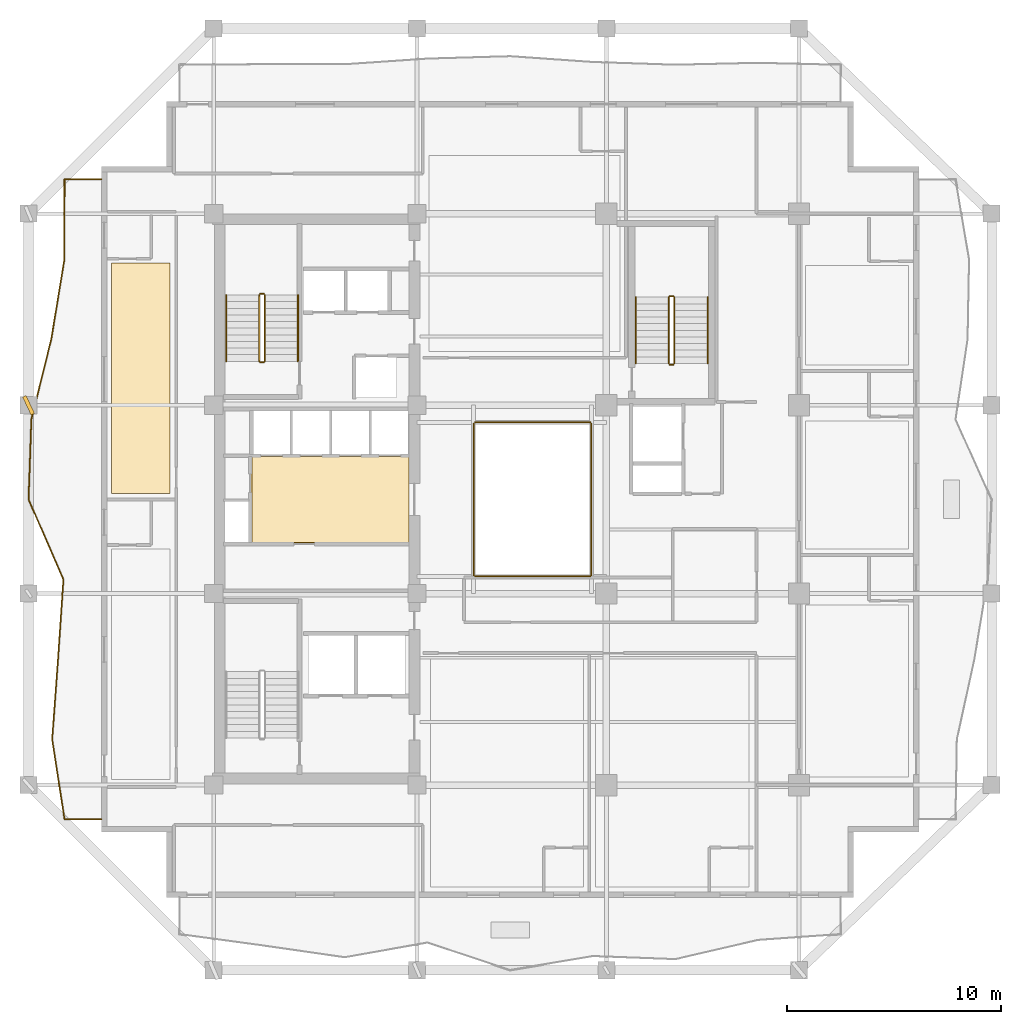
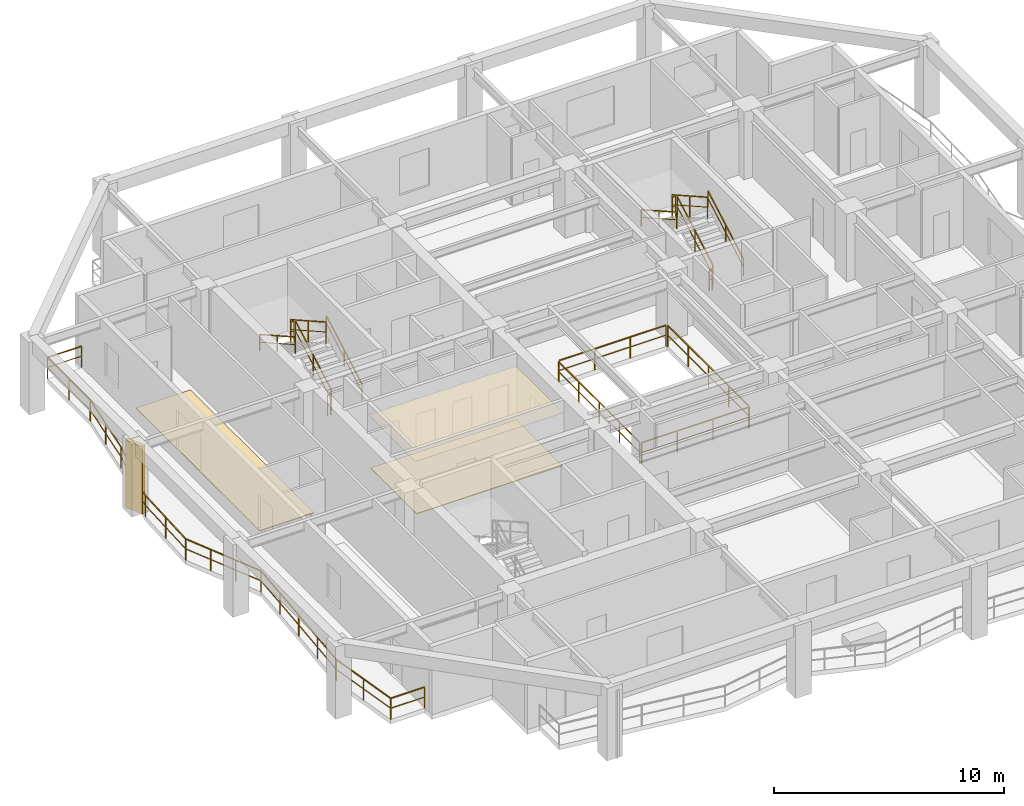
# One storey, part 8 of 10: 17 railings, 3 coverings, 1 shading device.
"""IFC4 building model written with IfcOpenShell, lengths in metres."""

from ifc_helpers import new_model, si_unit, direction, frame, origin, origin_2d, place, context, subcontext, project, spatial, polyline, rectangle, outline, extrude, material, layer, layer_set, type_object, element, save


model = new_model("IFC4")

# Units and contexts
model_context = context("Model", 3, precision=1e-05, world=origin(), true_north=direction((0.0, 1.0)))
body_context = subcontext(model_context, "Body", "Model", "MODEL_VIEW")
ifc_project = project(units=[si_unit("LENGTHUNIT", "METRE"), si_unit("AREAUNIT", "SQUARE_METRE"), si_unit("VOLUMEUNIT", "CUBIC_METRE"), si_unit("PLANEANGLEUNIT", "RADIAN"), si_unit("MASSUNIT", "GRAM", prefix="KILO")], contexts=[model_context])

# Site, building, storey
site_placement = place(None, origin())
site = spatial("IfcSite", under=ifc_project, at=site_placement, CompositionType="ELEMENT")
building_placement = place(site_placement, origin())
building = spatial("IfcBuilding", under=site, at=building_placement, Name="Kundavana Baori Tower", CompositionType="ELEMENT")
storey_placement = place(building_placement, frame((0.0, 0.0, 115.550048828125)))
storey = spatial("IfcBuildingStorey", under=building, at=storey_placement, Name="L27", CompositionType="ELEMENT", Elevation=115.550048828125)

# Coverings
ifc_material_1 = material(Name="Honed Kota Stone and Terrazzo Flooring", Category="masonry")
ifc_layer_1 = layer(ifc_material_1, 0.0400390625, Name="COV-FLR-TERR-40")
ifc_layer_set_1 = layer_set([ifc_layer_1], Name="Honed Kota Stone and Terrazzo Flooring")
covering_type_1 = type_object("IfcCoveringType", Name="COV-FLR-TERR-40", PredefinedType="FLOORING", material=ifc_layer_set_1)
covering_1_placement = place(storey_placement, origin())
element("IfcCovering", 1, at=covering_1_placement, inside=storey, type_object=covering_type_1, Name="L27 Room Finished Stone Flooring 2", PredefinedType="FLOORING", context=body_context, shape_type="SweptSolid", body=[
    extrude(outline(polyline([(10.679931640625, 28.8798828125), (13.419921875, 28.8798828125), (13.419921875, 39.64990234375), (10.679931640625, 39.64990234375), (10.679931640625, 28.8798828125)])), origin(), (0.0, 0.0, 1.0), 0.0400390625),
])
covering_2_placement = place(storey_placement, origin())
element("IfcCovering", 2, at=covering_2_placement, inside=storey, type_object=covering_type_1, Name="L27 Core Lift Lobby Kota Stone Flooring", PredefinedType="FLOORING", context=body_context, shape_type="SweptSolid", body=[
    extrude(outline(polyline([(17.25, 26.580078125), (24.580078125, 26.580078125), (24.580078125, 30.60009765625), (17.25, 30.60009765625), (17.25, 26.580078125)])), origin(), (0.0, 0.0, 1.0), 0.0400390625),
])
ifc_material_2 = material(Name="Perforated Acoustic Mineral Fibre Ceiling Board")
ifc_layer_2 = layer(ifc_material_2, 0.02490234375, Name="COV-INT-CEIL")
ifc_layer_set_2 = layer_set([ifc_layer_2], Name="Perforated Acoustic Mineral Fibre Ceiling Board")
covering_type_2 = type_object("IfcCoveringType", Name="COV-INT-CEIL", PredefinedType="CEILING", material=ifc_layer_set_2)
covering_3_placement = place(storey_placement, frame((0.0, 0.0, 2.849853515625)))
element("IfcCovering", 3, at=covering_3_placement, inside=storey, type_object=covering_type_2, Name="L27 Core Lift Lobby Acoustic Ceiling", PredefinedType="CEILING", context=body_context, shape_type="SweptSolid", body=[
    extrude(outline(polyline([(17.159912109375, 26.52001953125), (24.580078125, 26.52001953125), (24.580078125, 30.639892578125), (17.159912109375, 30.639892578125), (17.159912109375, 26.52001953125)])), origin(), (0.0, 0.0, 1.0), 0.025146484375),
])

# Railings
ifc_material_3 = material(Name="Architectural Patinated Bronze Metalwork")
railing_type_1 = type_object("IfcRailingType", Name="RL-BAL-1150", PredefinedType="BALUSTRADE", material=ifc_material_3)
railing_1_placement = place(storey_placement, frame((10.199951171875, 13.64990234375, 0.0)))
element("IfcRailing", 4, at=railing_1_placement, inside=storey, type_object=railing_type_1, Name="L27 Loggia Balcony Balustrade W", PredefinedType="BALUSTRADE", context=body_context, shape_type="SweptSolid", body=[
    extrude(rectangle(XDim=0.048095703125, YDim=0.048095703125, at=origin_2d()), frame((0.0, 0.0, 1.1259765625), z_axis=(-1.0, 0.0, 0.0), x_axis=(0.0, -1.0, 0.0)), (0.0, 0.0, 1.0), 1.719970703125),
    extrude(rectangle(XDim=0.03125, YDim=0.03125, at=origin_2d()), frame((0.0, 0.0, 0.597900390625), z_axis=(-1.0, 0.0, 0.0), x_axis=(0.0, -1.0, 0.0)), (0.0, 0.0, 1.0), 1.719970703125),
    extrude(rectangle(XDim=0.048095703125, YDim=0.048095703125, at=origin_2d()), frame((-1.719970703125, 0.0, 1.1259765625), z_axis=(-0.152818824267, 0.988254221822, 0.0), x_axis=(-0.988254221822, -0.152818824267, 0.0)), (0.0, 0.0, 1.0), 3.781494140625),
    extrude(rectangle(XDim=0.03125, YDim=0.03125, at=origin_2d()), frame((-1.719970703125, 0.0, 0.597900390625), z_axis=(-0.152818824267, 0.988254221822, 0.0), x_axis=(-0.988254221822, -0.152818824267, 0.0)), (0.0, 0.0, 1.0), 3.781494140625),
    extrude(rectangle(XDim=0.048095703125, YDim=0.048095703125, at=origin_2d()), frame((-2.2978515625, 3.737060546875, 1.1259765625), z_axis=(0.072825509213, 0.997344697288, 0.0), x_axis=(-0.997344697288, 0.072825509213, 0.0)), (0.0, 0.0, 1.0), 3.748046875),
    extrude(rectangle(XDim=0.03125, YDim=0.03125, at=origin_2d()), frame((-2.2978515625, 3.737060546875, 0.597900390625), z_axis=(0.072825509213, 0.997344697288, 0.0), x_axis=(-0.997344697288, 0.072825509213, 0.0)), (0.0, 0.0, 1.0), 3.748046875),
    extrude(rectangle(XDim=0.048095703125, YDim=0.048095703125, at=origin_2d()), frame((-2.02490234375, 7.47509765625, 1.1259765625), z_axis=(0.067526966587, 0.997717449373, 0.0), x_axis=(-0.997717449373, 0.067526966587, 0.0)), (0.0, 0.0, 1.0), 3.74560546875),
    extrude(rectangle(XDim=0.03125, YDim=0.03125, at=origin_2d()), frame((-2.02490234375, 7.47509765625, 0.597900390625), z_axis=(0.067526966587, 0.997717449373, 0.0), x_axis=(-0.997717449373, 0.067526966587, 0.0)), (0.0, 0.0, 1.0), 3.74560546875),
    extrude(rectangle(XDim=0.048095703125, YDim=0.048095703125, at=origin_2d()), frame((-1.77197265625, 11.212158203125, 1.1259765625), z_axis=(-0.399282192339, 0.91682808142, 0.0), x_axis=(-0.91682808142, -0.399282192339, 0.0)), (0.0, 0.0, 1.0), 4.0771484375),
    extrude(rectangle(XDim=0.03125, YDim=0.03125, at=origin_2d()), frame((-1.77197265625, 11.212158203125, 0.597900390625), z_axis=(-0.399282192339, 0.91682808142, 0.0), x_axis=(-0.91682808142, -0.399282192339, 0.0)), (0.0, 0.0, 1.0), 4.0771484375),
    extrude(rectangle(XDim=0.048095703125, YDim=0.048095703125, at=origin_2d()), frame((-3.39990234375, 14.9501953125, 1.1259765625), z_axis=(0.034997494214, 0.99938740006, 0.0), x_axis=(-0.99938740006, 0.034997494214, 0.0)), (0.0, 0.0, 1.0), 3.739013671875),
    extrude(rectangle(XDim=0.03125, YDim=0.03125, at=origin_2d()), frame((-3.39990234375, 14.9501953125, 0.597900390625), z_axis=(0.034997494214, 0.99938740006, 0.0), x_axis=(-0.99938740006, 0.034997494214, 0.0)), (0.0, 0.0, 1.0), 3.739013671875),
    extrude(rectangle(XDim=0.048095703125, YDim=0.048095703125, at=origin_2d()), frame((-3.26904296875, 18.68701171875, 1.1259765625), z_axis=(0.240700543752, 0.970599427281, 0.0), x_axis=(-0.970599427281, 0.240700543752, 0.0)), (0.0, 0.0, 1.0), 3.851318359375),
    extrude(rectangle(XDim=0.03125, YDim=0.03125, at=origin_2d()), frame((-3.26904296875, 18.68701171875, 0.597900390625), z_axis=(0.240700543752, 0.970599427281, 0.0), x_axis=(-0.970599427281, 0.240700543752, 0.0)), (0.0, 0.0, 1.0), 3.851318359375),
    extrude(rectangle(XDim=0.048095703125, YDim=0.048095703125, at=origin_2d()), frame((-2.342041015625, 22.425048828125, 1.1259765625), z_axis=(0.16269492956, 0.98667642107, 0.0), x_axis=(-0.98667642107, 0.16269492956, 0.0)), (0.0, 0.0, 1.0), 3.78759765625),
    extrude(rectangle(XDim=0.03125, YDim=0.03125, at=origin_2d()), frame((-2.342041015625, 22.425048828125, 0.597900390625), z_axis=(0.16269492956, 0.98667642107, 0.0), x_axis=(-0.98667642107, 0.16269492956, 0.0)), (0.0, 0.0, 1.0), 3.78759765625),
    extrude(rectangle(XDim=0.048095703125, YDim=0.048095703125, at=origin_2d()), frame((-1.725830078125, 26.162109375, 1.1259765625), z_axis=(0.001567498564, 0.999998771473, 0.0), x_axis=(-0.999998771473, 0.001567498564, 0.0)), (0.0, 0.0, 1.0), 3.738037109375),
    extrude(rectangle(XDim=0.03125, YDim=0.03125, at=origin_2d()), frame((-1.725830078125, 26.162109375, 0.597900390625), z_axis=(0.001567498564, 0.999998771473, 0.0), x_axis=(-0.999998771473, 0.001567498564, 0.0)), (0.0, 0.0, 1.0), 3.738037109375),
    extrude(rectangle(XDim=0.048095703125, YDim=0.048095703125, at=origin_2d()), frame((-1.719970703125, 29.900146484375, 1.1259765625), z_axis=(1.0, 0.0, 0.0), x_axis=(0.0, 1.0, 0.0)), (0.0, 0.0, 1.0), 1.719970703125),
    extrude(rectangle(XDim=0.03125, YDim=0.03125, at=origin_2d()), frame((-1.719970703125, 29.900146484375, 0.597900390625), z_axis=(1.0, 0.0, 0.0), x_axis=(0.0, 1.0, 0.0)), (0.0, 0.0, 1.0), 1.719970703125),
    extrude(rectangle(XDim=0.0419921875, YDim=0.0419921875, at=origin_2d()), origin(), (0.0, 0.0, 1.0), 1.101806640625),
    extrude(rectangle(XDim=0.0419921875, YDim=0.0419921875, at=origin_2d()), frame((-1.719970703125, 0.0, 0.0)), (0.0, 0.0, 1.0), 1.101806640625),
    extrude(rectangle(XDim=0.0419921875, YDim=0.0419921875, at=origin_2d()), frame((-2.0087890625, 1.86865234375, 0.0)), (0.0, 0.0, 1.0), 1.101806640625),
    extrude(rectangle(XDim=0.0419921875, YDim=0.0419921875, at=origin_2d()), frame((-2.2978515625, 3.737060546875, 0.0)), (0.0, 0.0, 1.0), 1.101806640625),
    extrude(rectangle(XDim=0.0419921875, YDim=0.0419921875, at=origin_2d()), frame((-2.161376953125, 5.60595703125, 0.0)), (0.0, 0.0, 1.0), 1.101806640625),
    extrude(rectangle(XDim=0.0419921875, YDim=0.0419921875, at=origin_2d()), frame((-2.02490234375, 7.47509765625, 0.0)), (0.0, 0.0, 1.0), 1.101806640625),
    extrude(rectangle(XDim=0.0419921875, YDim=0.0419921875, at=origin_2d()), frame((-1.8984375, 9.34375, 0.0)), (0.0, 0.0, 1.0), 1.101806640625),
    extrude(rectangle(XDim=0.0419921875, YDim=0.0419921875, at=origin_2d()), frame((-1.77197265625, 11.212158203125, 0.0)), (0.0, 0.0, 1.0), 1.101806640625),
    extrude(rectangle(XDim=0.0419921875, YDim=0.0419921875, at=origin_2d()), frame((-2.314697265625, 12.458251953125, 0.0)), (0.0, 0.0, 1.0), 1.101806640625),
    extrude(rectangle(XDim=0.0419921875, YDim=0.0419921875, at=origin_2d()), frame((-2.857177734375, 13.7041015625, 0.0)), (0.0, 0.0, 1.0), 1.101806640625),
    extrude(rectangle(XDim=0.0419921875, YDim=0.0419921875, at=origin_2d()), frame((-3.39990234375, 14.9501953125, 0.0)), (0.0, 0.0, 1.0), 1.101806640625),
    extrude(rectangle(XDim=0.0419921875, YDim=0.0419921875, at=origin_2d()), frame((-3.33447265625, 16.818603515625, 0.0)), (0.0, 0.0, 1.0), 1.101806640625),
    extrude(rectangle(XDim=0.0419921875, YDim=0.0419921875, at=origin_2d()), frame((-3.26904296875, 18.68701171875, 0.0)), (0.0, 0.0, 1.0), 1.101806640625),
    extrude(rectangle(XDim=0.0419921875, YDim=0.0419921875, at=origin_2d()), frame((-2.8056640625, 20.55615234375, 0.0)), (0.0, 0.0, 1.0), 1.101806640625),
    extrude(rectangle(XDim=0.0419921875, YDim=0.0419921875, at=origin_2d()), frame((-2.342041015625, 22.425048828125, 0.0)), (0.0, 0.0, 1.0), 1.101806640625),
    extrude(rectangle(XDim=0.0419921875, YDim=0.0419921875, at=origin_2d()), frame((-2.033935546875, 24.29345703125, 0.0)), (0.0, 0.0, 1.0), 1.101806640625),
    extrude(rectangle(XDim=0.0419921875, YDim=0.0419921875, at=origin_2d()), frame((-1.725830078125, 26.162109375, 0.0)), (0.0, 0.0, 1.0), 1.101806640625),
    extrude(rectangle(XDim=0.0419921875, YDim=0.0419921875, at=origin_2d()), frame((-1.722900390625, 28.03125, 0.0)), (0.0, 0.0, 1.0), 1.101806640625),
    extrude(rectangle(XDim=0.0419921875, YDim=0.0419921875, at=origin_2d()), frame((-1.719970703125, 29.900146484375, 0.0)), (0.0, 0.0, 1.0), 1.101806640625),
    extrude(rectangle(XDim=0.0419921875, YDim=0.0419921875, at=origin_2d()), frame((0.0, 29.900146484375, 0.0)), (0.0, 0.0, 1.0), 1.101806640625),
])
ifc_material_4 = material(Name="Architectural Patinated Bronze Metalwork")
railing_type_2 = type_object("IfcRailingType", Name="RL-GRD-1150", PredefinedType="GUARDRAIL", material=ifc_material_4)
railing_2_placement = place(storey_placement, frame((17.840087890625, 35.050048828125, 0.175048828125)))
element("IfcRailing", 5, at=railing_2_placement, inside=storey, type_object=railing_type_2, Name="L27 ST2 stair guard 1", PredefinedType="GUARDRAIL", context=body_context, shape_type="SweptSolid", body=[
    extrude(rectangle(XDim=0.048095703125, YDim=0.048095703125, at=origin_2d()), frame((0.0, 0.0, 1.1259765625), z_axis=(0.0, 0.870814364268, 0.491611984175), x_axis=(-1.0, 0.0, 0.0)), (0.0, 0.0, 1.0), 3.559814453125),
    extrude(rectangle(XDim=0.03125, YDim=0.03125, at=origin_2d()), frame((0.0, 0.0, 0.597900390625), z_axis=(0.0, 0.870814364268, 0.491611984175), x_axis=(-1.0, 0.0, 0.0)), (0.0, 0.0, 1.0), 3.559814453125),
    extrude(rectangle(XDim=0.0419921875, YDim=0.0419921875, at=origin_2d()), origin(), (0.0, 0.0, 1.0), 1.101806640625),
    extrude(rectangle(XDim=0.0419921875, YDim=0.0419921875, at=origin_2d()), frame((0.0, 1.5498046875, 0.875)), (0.0, 0.0, 1.0), 1.101806640625),
    extrude(rectangle(XDim=0.0419921875, YDim=0.0419921875, at=origin_2d()), frame((0.0, 3.099853515625, 1.75)), (0.0, 0.0, 1.0), 1.101806640625),
])
railing_3_placement = place(storey_placement, frame((17.7900390625, 38.199951171875, 1.925048828125)))
element("IfcRailing", 6, at=railing_3_placement, inside=storey, type_object=railing_type_2, Name="L27 ST2 stair guard 2", PredefinedType="GUARDRAIL", context=body_context, shape_type="SweptSolid", body=[
    extrude(rectangle(XDim=0.048095703125, YDim=0.048095703125, at=origin_2d()), frame((0.0, 0.0, 1.1259765625), z_axis=(-1.0, 0.0, 0.0), x_axis=(0.0, -1.0, 0.0)), (0.0, 0.0, 1.0), 0.16015625),
    extrude(rectangle(XDim=0.03125, YDim=0.03125, at=origin_2d()), frame((0.0, 0.0, 0.597900390625), z_axis=(-1.0, 0.0, 0.0), x_axis=(0.0, -1.0, 0.0)), (0.0, 0.0, 1.0), 0.16015625),
    extrude(rectangle(XDim=0.0419921875, YDim=0.0419921875, at=origin_2d()), origin(), (0.0, 0.0, 1.0), 1.101806640625),
    extrude(rectangle(XDim=0.0419921875, YDim=0.0419921875, at=origin_2d()), frame((-0.16015625, 0.0, 0.0)), (0.0, 0.0, 1.0), 1.101806640625),
])
railing_4_placement = place(storey_placement, frame((17.580078125, 38.14990234375, 2.099853515625)))
element("IfcRailing", 7, at=railing_4_placement, inside=storey, type_object=railing_type_2, Name="L27 ST2 stair guard 3", PredefinedType="GUARDRAIL", context=body_context, shape_type="SweptSolid", body=[
    extrude(rectangle(XDim=0.048095703125, YDim=0.048095703125, at=origin_2d()), frame((0.0, 0.0, 1.1259765625), z_axis=(0.0, -0.870814364268, 0.491611984175), x_axis=(1.0, 0.0, 0.0)), (0.0, 0.0, 1.0), 3.559814453125),
    extrude(rectangle(XDim=0.03125, YDim=0.03125, at=origin_2d()), frame((0.0, 0.0, 0.597900390625), z_axis=(0.0, -0.870814364268, 0.491611984175), x_axis=(1.0, 0.0, 0.0)), (0.0, 0.0, 1.0), 3.559814453125),
    extrude(rectangle(XDim=0.0419921875, YDim=0.0419921875, at=origin_2d()), origin(), (0.0, 0.0, 1.0), 1.101806640625),
    extrude(rectangle(XDim=0.0419921875, YDim=0.0419921875, at=origin_2d()), frame((0.0, -1.5498046875, 0.875)), (0.0, 0.0, 1.0), 1.101806640625),
    extrude(rectangle(XDim=0.0419921875, YDim=0.0419921875, at=origin_2d()), frame((0.0, -3.099853515625, 1.75)), (0.0, 0.0, 1.0), 1.101806640625),
])
railing_5_placement = place(storey_placement, frame((17.7900390625, 35.0, 0.0)))
element("IfcRailing", 8, at=railing_5_placement, inside=storey, type_object=railing_type_2, Name="L27 ST2 stair guard 4", PredefinedType="GUARDRAIL", context=body_context, shape_type="SweptSolid", body=[
    extrude(rectangle(XDim=0.048095703125, YDim=0.048095703125, at=origin_2d()), frame((0.0, 0.0, 1.1259765625), z_axis=(-1.0, 0.0, 0.0), x_axis=(0.0, -1.0, 0.0)), (0.0, 0.0, 1.0), 0.16015625),
    extrude(rectangle(XDim=0.03125, YDim=0.03125, at=origin_2d()), frame((0.0, 0.0, 0.597900390625), z_axis=(-1.0, 0.0, 0.0), x_axis=(0.0, -1.0, 0.0)), (0.0, 0.0, 1.0), 0.16015625),
    extrude(rectangle(XDim=0.0419921875, YDim=0.0419921875, at=origin_2d()), origin(), (0.0, 0.0, 1.0), 1.101806640625),
    extrude(rectangle(XDim=0.0419921875, YDim=0.0419921875, at=origin_2d()), frame((-0.16015625, 0.0, 0.0)), (0.0, 0.0, 1.0), 1.101806640625),
])
railing_6_placement = place(storey_placement, frame((36.97998046875, 34.949951171875, 0.175048828125)))
element("IfcRailing", 9, at=railing_6_placement, inside=storey, type_object=railing_type_2, Name="L27 ST3 stair guard 1", PredefinedType="GUARDRAIL", context=body_context, shape_type="SweptSolid", body=[
    extrude(rectangle(XDim=0.048095703125, YDim=0.048095703125, at=origin_2d()), frame((0.0, 0.0, 1.1259765625), z_axis=(0.0, 0.870830938388, 0.491582624537), x_axis=(-1.0, 0.0, 0.0)), (0.0, 0.0, 1.0), 3.559814453125),
    extrude(rectangle(XDim=0.03125, YDim=0.03125, at=origin_2d()), frame((0.0, 0.0, 0.597900390625), z_axis=(0.0, 0.870830938388, 0.491582624537), x_axis=(-1.0, 0.0, 0.0)), (0.0, 0.0, 1.0), 3.559814453125),
    extrude(rectangle(XDim=0.0419921875, YDim=0.0419921875, at=origin_2d()), origin(), (0.0, 0.0, 1.0), 1.101806640625),
    extrude(rectangle(XDim=0.0419921875, YDim=0.0419921875, at=origin_2d()), frame((0.0, 1.550048828125, 0.875)), (0.0, 0.0, 1.0), 1.101806640625),
    extrude(rectangle(XDim=0.0419921875, YDim=0.0419921875, at=origin_2d()), frame((0.0, 3.10009765625, 1.75)), (0.0, 0.0, 1.0), 1.101806640625),
])
railing_7_placement = place(storey_placement, frame((36.929931640625, 38.10009765625, 1.925048828125)))
element("IfcRailing", 10, at=railing_7_placement, inside=storey, type_object=railing_type_2, Name="L27 ST3 stair guard 2", PredefinedType="GUARDRAIL", context=body_context, shape_type="SweptSolid", body=[
    extrude(rectangle(XDim=0.048095703125, YDim=0.048095703125, at=origin_2d()), frame((0.0, 0.0, 1.1259765625), z_axis=(-1.0, 0.0, 0.0), x_axis=(0.0, -1.0, 0.0)), (0.0, 0.0, 1.0), 0.159912109375),
    extrude(rectangle(XDim=0.03125, YDim=0.03125, at=origin_2d()), frame((0.0, 0.0, 0.597900390625), z_axis=(-1.0, 0.0, 0.0), x_axis=(0.0, -1.0, 0.0)), (0.0, 0.0, 1.0), 0.159912109375),
    extrude(rectangle(XDim=0.0419921875, YDim=0.0419921875, at=origin_2d()), origin(), (0.0, 0.0, 1.0), 1.101806640625),
    extrude(rectangle(XDim=0.0419921875, YDim=0.0419921875, at=origin_2d()), frame((-0.159912109375, 0.0, 0.0)), (0.0, 0.0, 1.0), 1.101806640625),
])
railing_8_placement = place(storey_placement, frame((36.719970703125, 38.050048828125, 2.099853515625)))
element("IfcRailing", 11, at=railing_8_placement, inside=storey, type_object=railing_type_2, Name="L27 ST3 stair guard 3", PredefinedType="GUARDRAIL", context=body_context, shape_type="SweptSolid", body=[
    extrude(rectangle(XDim=0.048095703125, YDim=0.048095703125, at=origin_2d()), frame((0.0, 0.0, 1.1259765625), z_axis=(0.0, -0.870830938388, 0.491582624537), x_axis=(1.0, 0.0, 0.0)), (0.0, 0.0, 1.0), 3.559814453125),
    extrude(rectangle(XDim=0.03125, YDim=0.03125, at=origin_2d()), frame((0.0, 0.0, 0.597900390625), z_axis=(0.0, -0.870830938388, 0.491582624537), x_axis=(1.0, 0.0, 0.0)), (0.0, 0.0, 1.0), 3.559814453125),
    extrude(rectangle(XDim=0.0419921875, YDim=0.0419921875, at=origin_2d()), origin(), (0.0, 0.0, 1.0), 1.101806640625),
    extrude(rectangle(XDim=0.0419921875, YDim=0.0419921875, at=origin_2d()), frame((0.0, -1.550048828125, 0.875)), (0.0, 0.0, 1.0), 1.101806640625),
    extrude(rectangle(XDim=0.0419921875, YDim=0.0419921875, at=origin_2d()), frame((0.0, -3.10009765625, 1.75)), (0.0, 0.0, 1.0), 1.101806640625),
])
railing_9_placement = place(storey_placement, frame((36.929931640625, 34.89990234375, 0.0)))
element("IfcRailing", 12, at=railing_9_placement, inside=storey, type_object=railing_type_2, Name="L27 ST3 stair guard 4", PredefinedType="GUARDRAIL", context=body_context, shape_type="SweptSolid", body=[
    extrude(rectangle(XDim=0.048095703125, YDim=0.048095703125, at=origin_2d()), frame((0.0, 0.0, 1.1259765625), z_axis=(-1.0, 0.0, 0.0), x_axis=(0.0, -1.0, 0.0)), (0.0, 0.0, 1.0), 0.159912109375),
    extrude(rectangle(XDim=0.03125, YDim=0.03125, at=origin_2d()), frame((0.0, 0.0, 0.597900390625), z_axis=(-1.0, 0.0, 0.0), x_axis=(0.0, -1.0, 0.0)), (0.0, 0.0, 1.0), 0.159912109375),
    extrude(rectangle(XDim=0.0419921875, YDim=0.0419921875, at=origin_2d()), origin(), (0.0, 0.0, 1.0), 1.101806640625),
    extrude(rectangle(XDim=0.0419921875, YDim=0.0419921875, at=origin_2d()), frame((-0.159912109375, 0.0, 0.0)), (0.0, 0.0, 1.0), 1.101806640625),
])
railing_10_placement = place(storey_placement, frame((27.659912109375, 25.0, 0.0)))
element("IfcRailing", 13, at=railing_10_placement, inside=storey, type_object=railing_type_2, Name="L27 Atrium Void Perimeter Guardrail S", PredefinedType="GUARDRAIL", context=body_context, shape_type="SweptSolid", body=[
    extrude(rectangle(XDim=0.048095703125, YDim=0.048095703125, at=origin_2d()), frame((0.0, 0.0, 1.1259765625), z_axis=(1.0, 0.0, 0.0), x_axis=(0.0, 1.0, 0.0)), (0.0, 0.0, 1.0), 5.380126953125),
    extrude(rectangle(XDim=0.03125, YDim=0.03125, at=origin_2d()), frame((0.0, 0.0, 0.597900390625), z_axis=(1.0, 0.0, 0.0), x_axis=(0.0, 1.0, 0.0)), (0.0, 0.0, 1.0), 5.380126953125),
    extrude(rectangle(XDim=0.0419921875, YDim=0.0419921875, at=origin_2d()), origin(), (0.0, 0.0, 1.0), 1.101806640625),
    extrude(rectangle(XDim=0.0419921875, YDim=0.0419921875, at=origin_2d()), frame((1.79345703125, 0.0, 0.0)), (0.0, 0.0, 1.0), 1.101806640625),
    extrude(rectangle(XDim=0.0419921875, YDim=0.0419921875, at=origin_2d()), frame((3.586669921875, 0.0, 0.0)), (0.0, 0.0, 1.0), 1.101806640625),
    extrude(rectangle(XDim=0.0419921875, YDim=0.0419921875, at=origin_2d()), frame((5.380126953125, 0.0, 0.0)), (0.0, 0.0, 1.0), 1.101806640625),
])
railing_11_placement = place(storey_placement, frame((33.10009765625, 25.06005859375, 0.0)))
element("IfcRailing", 14, at=railing_11_placement, inside=storey, type_object=railing_type_2, Name="L27 Atrium Void Perimeter Guardrail E", PredefinedType="GUARDRAIL", context=body_context, shape_type="SweptSolid", body=[
    extrude(rectangle(XDim=0.048095703125, YDim=0.048095703125, at=origin_2d()), frame((0.0, 0.0, 1.1259765625), z_axis=(0.0, 1.0, 0.0), x_axis=(-1.0, 0.0, 0.0)), (0.0, 0.0, 1.0), 7.079833984375),
    extrude(rectangle(XDim=0.03125, YDim=0.03125, at=origin_2d()), frame((0.0, 0.0, 0.597900390625), z_axis=(0.0, 1.0, 0.0), x_axis=(-1.0, 0.0, 0.0)), (0.0, 0.0, 1.0), 7.079833984375),
    extrude(rectangle(XDim=0.0419921875, YDim=0.0419921875, at=origin_2d()), origin(), (0.0, 0.0, 1.0), 1.101806640625),
    extrude(rectangle(XDim=0.0419921875, YDim=0.0419921875, at=origin_2d()), frame((0.0, 1.77001953125, 0.0)), (0.0, 0.0, 1.0), 1.101806640625),
    extrude(rectangle(XDim=0.0419921875, YDim=0.0419921875, at=origin_2d()), frame((0.0, 3.5400390625, 0.0)), (0.0, 0.0, 1.0), 1.101806640625),
    extrude(rectangle(XDim=0.0419921875, YDim=0.0419921875, at=origin_2d()), frame((0.0, 5.309814453125, 0.0)), (0.0, 0.0, 1.0), 1.101806640625),
    extrude(rectangle(XDim=0.0419921875, YDim=0.0419921875, at=origin_2d()), frame((0.0, 7.079833984375, 0.0)), (0.0, 0.0, 1.0), 1.101806640625),
])
railing_12_placement = place(storey_placement, frame((33.0400390625, 32.199951171875, 0.0)))
element("IfcRailing", 15, at=railing_12_placement, inside=storey, type_object=railing_type_2, Name="L27 Atrium Void Perimeter Guardrail N", PredefinedType="GUARDRAIL", context=body_context, shape_type="SweptSolid", body=[
    extrude(rectangle(XDim=0.048095703125, YDim=0.048095703125, at=origin_2d()), frame((0.0, 0.0, 1.1259765625), z_axis=(-1.0, 0.0, 0.0), x_axis=(0.0, -1.0, 0.0)), (0.0, 0.0, 1.0), 5.380126953125),
    extrude(rectangle(XDim=0.03125, YDim=0.03125, at=origin_2d()), frame((0.0, 0.0, 0.597900390625), z_axis=(-1.0, 0.0, 0.0), x_axis=(0.0, -1.0, 0.0)), (0.0, 0.0, 1.0), 5.380126953125),
    extrude(rectangle(XDim=0.0419921875, YDim=0.0419921875, at=origin_2d()), origin(), (0.0, 0.0, 1.0), 1.101806640625),
    extrude(rectangle(XDim=0.0419921875, YDim=0.0419921875, at=origin_2d()), frame((-1.79345703125, 0.0, 0.0)), (0.0, 0.0, 1.0), 1.101806640625),
    extrude(rectangle(XDim=0.0419921875, YDim=0.0419921875, at=origin_2d()), frame((-3.586669921875, 0.0, 0.0)), (0.0, 0.0, 1.0), 1.101806640625),
    extrude(rectangle(XDim=0.0419921875, YDim=0.0419921875, at=origin_2d()), frame((-5.380126953125, 0.0, 0.0)), (0.0, 0.0, 1.0), 1.101806640625),
])
railing_13_placement = place(storey_placement, frame((27.60009765625, 32.139892578125, 0.0)))
element("IfcRailing", 16, at=railing_13_placement, inside=storey, type_object=railing_type_2, Name="L27 Atrium Void Perimeter Guardrail W", PredefinedType="GUARDRAIL", context=body_context, shape_type="SweptSolid", body=[
    extrude(rectangle(XDim=0.048095703125, YDim=0.048095703125, at=origin_2d()), frame((0.0, 0.0, 1.1259765625), z_axis=(0.0, -1.0, 0.0), x_axis=(1.0, 0.0, 0.0)), (0.0, 0.0, 1.0), 7.079833984375),
    extrude(rectangle(XDim=0.03125, YDim=0.03125, at=origin_2d()), frame((0.0, 0.0, 0.597900390625), z_axis=(0.0, -1.0, 0.0), x_axis=(1.0, 0.0, 0.0)), (0.0, 0.0, 1.0), 7.079833984375),
    extrude(rectangle(XDim=0.0419921875, YDim=0.0419921875, at=origin_2d()), origin(), (0.0, 0.0, 1.0), 1.101806640625),
    extrude(rectangle(XDim=0.0419921875, YDim=0.0419921875, at=origin_2d()), frame((0.0, -1.77001953125, 0.0)), (0.0, 0.0, 1.0), 1.101806640625),
    extrude(rectangle(XDim=0.0419921875, YDim=0.0419921875, at=origin_2d()), frame((0.0, -3.5400390625, 0.0)), (0.0, 0.0, 1.0), 1.101806640625),
    extrude(rectangle(XDim=0.0419921875, YDim=0.0419921875, at=origin_2d()), frame((0.0, -5.309814453125, 0.0)), (0.0, 0.0, 1.0), 1.101806640625),
    extrude(rectangle(XDim=0.0419921875, YDim=0.0419921875, at=origin_2d()), frame((0.0, -7.079833984375, 0.0)), (0.0, 0.0, 1.0), 1.101806640625),
])
ifc_material_5 = material(Name="Architectural Patinated Bronze Metalwork")
railing_type_3 = type_object("IfcRailingType", Name="RL-HND-920", PredefinedType="HANDRAIL", material=ifc_material_5)
railing_14_placement = place(storey_placement, frame((19.389892578125, 35.050048828125, 0.175048828125)))
element("IfcRailing", 17, at=railing_14_placement, inside=storey, type_object=railing_type_3, Name="L27 ST2 stair handrail 1", PredefinedType="HANDRAIL", context=body_context, shape_type="SweptSolid", body=[
    extrude(rectangle(XDim=0.048095703125, YDim=0.048095703125, at=origin_2d()), frame((0.0, 0.0, 0.8759765625), z_axis=(0.0, 0.870814364268, 0.491611984175), x_axis=(-1.0, 0.0, 0.0)), (0.0, 0.0, 1.0), 3.559814453125),
    extrude(rectangle(XDim=0.03125, YDim=0.03125, at=origin_2d()), frame((0.0, 0.0, 0.468017578125), z_axis=(0.0, 0.870814364268, 0.491611984175), x_axis=(-1.0, 0.0, 0.0)), (0.0, 0.0, 1.0), 3.559814453125),
    extrude(rectangle(XDim=0.0419921875, YDim=0.0419921875, at=origin_2d()), origin(), (0.0, 0.0, 1.0), 0.851806640625),
    extrude(rectangle(XDim=0.0419921875, YDim=0.0419921875, at=origin_2d()), frame((0.0, 1.5498046875, 0.875)), (0.0, 0.0, 1.0), 0.851806640625),
    extrude(rectangle(XDim=0.0419921875, YDim=0.0419921875, at=origin_2d()), frame((0.0, 3.099853515625, 1.75)), (0.0, 0.0, 1.0), 0.851806640625),
])
railing_15_placement = place(storey_placement, frame((16.030029296875, 38.14990234375, 2.099853515625)))
element("IfcRailing", 18, at=railing_15_placement, inside=storey, type_object=railing_type_3, Name="L27 ST2 stair handrail 2", PredefinedType="HANDRAIL", context=body_context, shape_type="SweptSolid", body=[
    extrude(rectangle(XDim=0.048095703125, YDim=0.048095703125, at=origin_2d()), frame((0.0, 0.0, 0.8759765625), z_axis=(0.0, -0.870814364268, 0.491611984175), x_axis=(1.0, 0.0, 0.0)), (0.0, 0.0, 1.0), 3.559814453125),
    extrude(rectangle(XDim=0.03125, YDim=0.03125, at=origin_2d()), frame((0.0, 0.0, 0.468017578125), z_axis=(0.0, -0.870814364268, 0.491611984175), x_axis=(1.0, 0.0, 0.0)), (0.0, 0.0, 1.0), 3.559814453125),
    extrude(rectangle(XDim=0.0419921875, YDim=0.0419921875, at=origin_2d()), origin(), (0.0, 0.0, 1.0), 0.851806640625),
    extrude(rectangle(XDim=0.0419921875, YDim=0.0419921875, at=origin_2d()), frame((0.0, -1.5498046875, 0.875)), (0.0, 0.0, 1.0), 0.851806640625),
    extrude(rectangle(XDim=0.0419921875, YDim=0.0419921875, at=origin_2d()), frame((0.0, -3.099853515625, 1.75)), (0.0, 0.0, 1.0), 0.851806640625),
])
railing_16_placement = place(storey_placement, frame((38.530029296875, 34.949951171875, 0.175048828125)))
element("IfcRailing", 19, at=railing_16_placement, inside=storey, type_object=railing_type_3, Name="L27 ST3 stair handrail 1", PredefinedType="HANDRAIL", context=body_context, shape_type="SweptSolid", body=[
    extrude(rectangle(XDim=0.048095703125, YDim=0.048095703125, at=origin_2d()), frame((0.0, 0.0, 0.8759765625), z_axis=(0.0, 0.870830938388, 0.491582624537), x_axis=(-1.0, 0.0, 0.0)), (0.0, 0.0, 1.0), 3.559814453125),
    extrude(rectangle(XDim=0.03125, YDim=0.03125, at=origin_2d()), frame((0.0, 0.0, 0.468017578125), z_axis=(0.0, 0.870830938388, 0.491582624537), x_axis=(-1.0, 0.0, 0.0)), (0.0, 0.0, 1.0), 3.559814453125),
    extrude(rectangle(XDim=0.0419921875, YDim=0.0419921875, at=origin_2d()), origin(), (0.0, 0.0, 1.0), 0.851806640625),
    extrude(rectangle(XDim=0.0419921875, YDim=0.0419921875, at=origin_2d()), frame((0.0, 1.550048828125, 0.875)), (0.0, 0.0, 1.0), 0.851806640625),
    extrude(rectangle(XDim=0.0419921875, YDim=0.0419921875, at=origin_2d()), frame((0.0, 3.10009765625, 1.75)), (0.0, 0.0, 1.0), 0.851806640625),
])
railing_17_placement = place(storey_placement, frame((35.169921875, 38.050048828125, 2.099853515625)))
element("IfcRailing", 20, at=railing_17_placement, inside=storey, type_object=railing_type_3, Name="L27 ST3 stair handrail 2", PredefinedType="HANDRAIL", context=body_context, shape_type="SweptSolid", body=[
    extrude(rectangle(XDim=0.048095703125, YDim=0.048095703125, at=origin_2d()), frame((0.0, 0.0, 0.8759765625), z_axis=(0.0, -0.870830938388, 0.491582624537), x_axis=(1.0, 0.0, 0.0)), (0.0, 0.0, 1.0), 3.559814453125),
    extrude(rectangle(XDim=0.03125, YDim=0.03125, at=origin_2d()), frame((0.0, 0.0, 0.468017578125), z_axis=(0.0, -0.870830938388, 0.491582624537), x_axis=(1.0, 0.0, 0.0)), (0.0, 0.0, 1.0), 3.559814453125),
    extrude(rectangle(XDim=0.0419921875, YDim=0.0419921875, at=origin_2d()), origin(), (0.0, 0.0, 1.0), 0.851806640625),
    extrude(rectangle(XDim=0.0419921875, YDim=0.0419921875, at=origin_2d()), frame((0.0, -1.550048828125, 0.875)), (0.0, 0.0, 1.0), 0.851806640625),
    extrude(rectangle(XDim=0.0419921875, YDim=0.0419921875, at=origin_2d()), frame((0.0, -3.10009765625, 1.75)), (0.0, 0.0, 1.0), 0.851806640625),
])

# Shading device
ifc_material_6 = material(Name="Red-Buff Dholpur Sandstone Cladding on Concrete C40/50", Category="masonry")
shading_device_type = type_object("IfcShadingDeviceType", Name="SHD-FIN-920", PredefinedType="JALOUSIE", material=ifc_material_6)
shading_device_placement = place(storey_placement, frame((6.800048828125, 33.0, 0.0), z_axis=(0.0, 0.0, 1.0), x_axis=(0.904529581968, 0.426410876203, 0.0)))
element("IfcShadingDevice", 21, at=shading_device_placement, inside=storey, type_object=shading_device_type, Name="L27 Sweeping Dholpur Sandstone Facade Fin 7", PredefinedType="JALOUSIE", context=body_context, shape_type="SweptSolid", body=[
    extrude(rectangle(XDim=0.179931640625, YDim=0.919921875, at=origin_2d()), origin(), (0.0, 0.0, 1.0), 3.60009765625),
])

save(model, "model.ifc")
